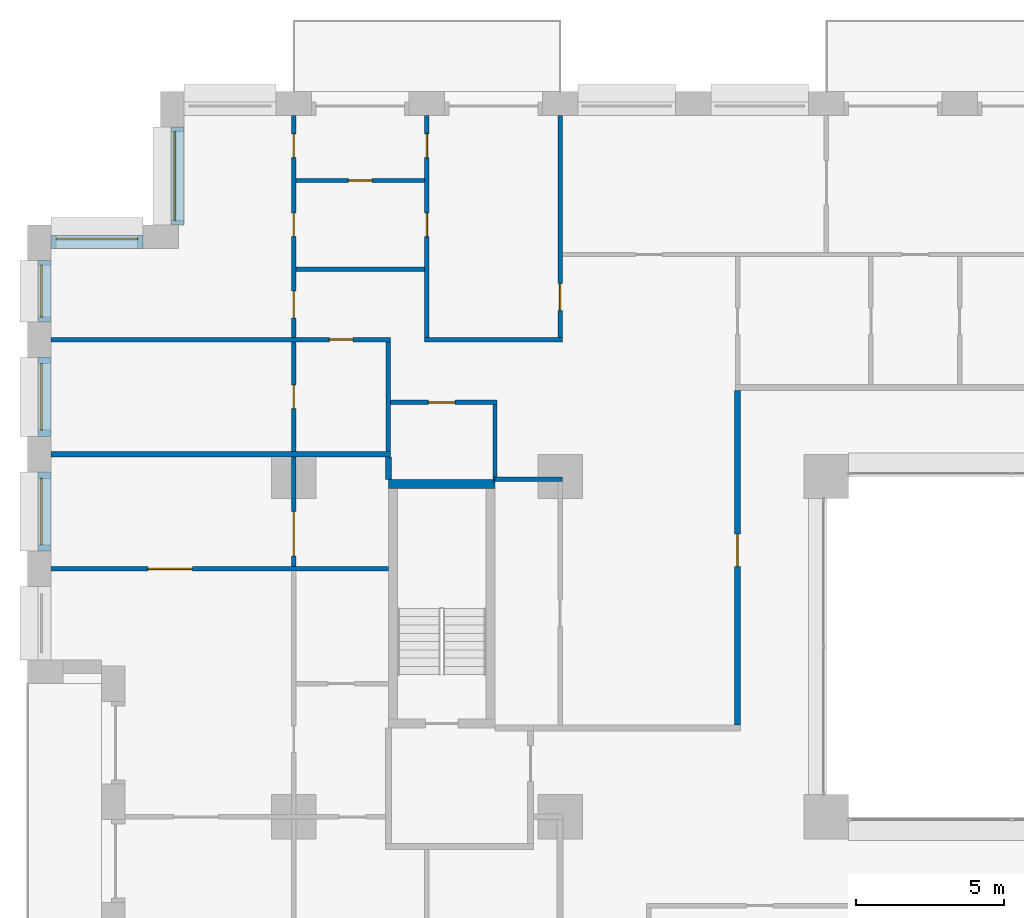
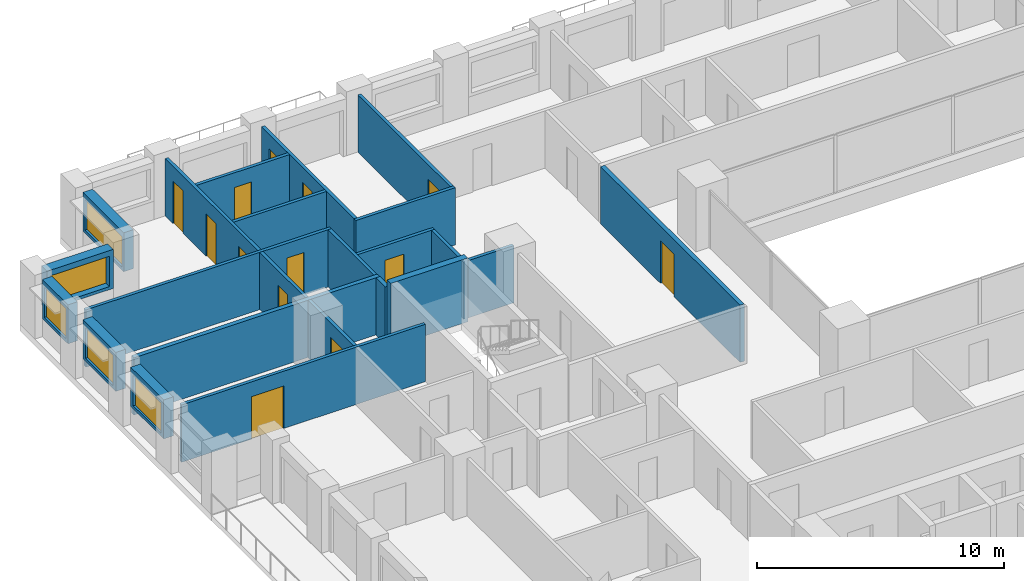
# One storey, part 13 of 19: 24 walls, 13 doors, 5 windows, 18 openings.
"""IFC4 building model written with IfcOpenShell, lengths in metres."""

from ifc_helpers import new_model, si_unit, direction, frame, frame_2d, origin, place, context, subcontext, project, spatial, rectangle, extrude, material, layer, layer_set, type_object, element, fill, save


model = new_model("IFC4")

# Units and contexts
model_context = context("Model", 3, precision=1e-05, world=origin(), true_north=direction((0.0, 1.0)))
body_context = subcontext(model_context, "Body", "Model", "MODEL_VIEW")
ifc_project = project(units=[si_unit("LENGTHUNIT", "METRE"), si_unit("AREAUNIT", "SQUARE_METRE"), si_unit("VOLUMEUNIT", "CUBIC_METRE"), si_unit("PLANEANGLEUNIT", "RADIAN"), si_unit("MASSUNIT", "GRAM", prefix="KILO")], contexts=[model_context])

# Site, building, storey
site_placement = place(None, origin())
site = spatial("IfcSite", under=ifc_project, at=site_placement, CompositionType="ELEMENT")
building_placement = place(site_placement, origin())
building = spatial("IfcBuilding", under=site, at=building_placement, Name="Brigalow Station Residences", CompositionType="ELEMENT")
storey_placement = place(building_placement, frame((0.0, 0.0, 28.949951171875)))
storey = spatial("IfcBuildingStorey", under=building, at=storey_placement, Name="L07", CompositionType="ELEMENT", Elevation=28.949951171875)

# Wall, opening, window
ifc_material_1 = material(Name="Clay brick masonry", Category="masonry")
ifc_layer_1 = layer(ifc_material_1, 0.449951171875)
ifc_layer_set_1 = layer_set([ifc_layer_1], Name="BRICK INFILL WALL 450")
wall_type_1 = type_object("IfcWallType", Name="BRICK INFILL WALL 450", PredefinedType="SOLIDWALL", material=ifc_layer_set_1)
wall_1_placement = place(storey_placement, frame((5.074951171875, 47.300048828125, 0.900146484375), z_axis=(0.0, 0.0, 1.0), x_axis=(0.0, -1.0, 0.0)))
wall_1 = element("IfcWall", 1, at=wall_1_placement, inside=storey, type_object=wall_type_1, Name="L07/ewall/W-L07-40", PredefinedType="SOLIDWALL", context=body_context, shape_type="SweptSolid", body=[
    extrude(rectangle(XDim=3.300048828125, YDim=0.449951171875, at=frame_2d((1.64990234375, 0.0))), origin(), (0.0, 0.0, 1.0), 1.929931640625),
])
opening_1_placement = place(wall_1_placement, frame((0.14990234375, 0.0, 0.14990234375)))
opening_1 = element("IfcOpeningElement", 2, at=opening_1_placement, cuts=wall_1, Name="Opening WT-2", PredefinedType="OPENING", context=body_context, shape_type="SweptSolid", body=[
    extrude(rectangle(XDim=3.0, YDim=1.5, at=frame_2d((1.5, 0.75))), frame((0.0, 0.23486328125, 0.0), z_axis=(0.0, -1.0, 0.0), x_axis=(1.0, 0.0, 0.0)), (0.0, 0.0, 1.0), 0.469970703125),
])
ifc_material_2 = material(Name="Anodised aluminium frame with double glazing", Category="aluminium")
window_type_1 = type_object("IfcWindowType", Name="WINDOW 3000x1500", PartitioningType="SINGLE_PANEL", PredefinedType="WINDOW", material=ifc_material_2)
window_1_placement = place(opening_1_placement, origin())
window_1 = element("IfcWindow", 3, at=window_1_placement, inside=storey, type_object=window_type_1, Name="L07/window/W-L07-40", OverallHeight=1.5, OverallWidth=3.0, PartitioningType="SINGLE_PANEL", PredefinedType="WINDOW", context=body_context, shape_type="SweptSolid", body=[
    extrude(rectangle(XDim=3.0, YDim=1.5, at=frame_2d((1.5, 0.75))), frame((0.0, -0.06494140625, 0.0), z_axis=(0.0, -1.0, 0.0), x_axis=(1.0, 0.0, 0.0)), (0.0, 0.0, 1.0), 0.06005859375),
])
fill(opening_1, window_1)

wall_2_placement = place(storey_placement, frame((3.89990234375, 43.425048828125, 0.900146484375), z_axis=(0.0, 0.0, 1.0), x_axis=(-1.0, 0.0, 0.0)))
wall_2 = element("IfcWall", 4, at=wall_2_placement, inside=storey, type_object=wall_type_1, Name="L07/ewall/W-L07-41", PredefinedType="SOLIDWALL", context=body_context, shape_type="SweptSolid", body=[
    extrude(rectangle(XDim=3.099853515625, YDim=0.449951171875, at=frame_2d((1.5498046875, 0.0))), origin(), (0.0, 0.0, 1.0), 1.929931640625),
])
opening_2_placement = place(wall_2_placement, frame((0.175048828125, 0.0, 0.14990234375)))
opening_2 = element("IfcOpeningElement", 5, at=opening_2_placement, cuts=wall_2, Name="Opening WT-3", PredefinedType="OPENING", context=body_context, shape_type="SweptSolid", body=[
    extrude(rectangle(XDim=2.75, YDim=1.5, at=frame_2d((1.375, 0.75))), frame((0.0, 0.23486328125, 0.0), z_axis=(0.0, -1.0, 0.0), x_axis=(1.0, 0.0, 0.0)), (0.0, 0.0, 1.0), 0.469970703125),
])
ifc_material_3 = material(Name="Anodised aluminium frame with double glazing", Category="aluminium")
window_type_2 = type_object("IfcWindowType", Name="WINDOW 2750x1500", PartitioningType="SINGLE_PANEL", PredefinedType="WINDOW", material=ifc_material_3)
window_2_placement = place(opening_2_placement, origin())
window_2 = element("IfcWindow", 6, at=window_2_placement, inside=storey, type_object=window_type_2, Name="L07/window/W-L07-41", OverallHeight=1.5, OverallWidth=2.75, PartitioningType="SINGLE_PANEL", PredefinedType="WINDOW", context=body_context, shape_type="SweptSolid", body=[
    extrude(rectangle(XDim=2.75, YDim=1.5, at=frame_2d((1.375, 0.75))), frame((0.0, -0.06494140625, 0.0), z_axis=(0.0, -1.0, 0.0), x_axis=(1.0, 0.0, 0.0)), (0.0, 0.0, 1.0), 0.06005859375),
])
fill(opening_2, window_2)

wall_3_placement = place(storey_placement, frame((0.574951171875, 42.800048828125, 0.900146484375), z_axis=(0.0, 0.0, 1.0), x_axis=(0.0, -1.0, 0.0)))
wall_3 = element("IfcWall", 7, at=wall_3_placement, inside=storey, type_object=wall_type_1, Name="L07/ewall/W-L07-42", PredefinedType="SOLIDWALL", context=body_context, shape_type="SweptSolid", body=[
    extrude(rectangle(XDim=2.074951171875, YDim=0.449951171875, at=frame_2d((1.03759765625, 0.0))), origin(), (0.0, 0.0, 1.0), 1.929931640625),
])
opening_3_placement = place(wall_3_placement, frame((0.16259765625, 0.0, 0.14990234375)))
opening_3 = element("IfcOpeningElement", 8, at=opening_3_placement, cuts=wall_3, Name="Opening WT-4", PredefinedType="OPENING", context=body_context, shape_type="SweptSolid", body=[
    extrude(rectangle(XDim=1.75, YDim=1.5, at=frame_2d((0.875, 0.75))), frame((0.0, 0.23486328125, 0.0), z_axis=(0.0, -1.0, 0.0), x_axis=(1.0, 0.0, 0.0)), (0.0, 0.0, 1.0), 0.469970703125),
])
ifc_material_4 = material(Name="Anodised aluminium frame with double glazing", Category="aluminium")
window_type_3 = type_object("IfcWindowType", Name="WINDOW 1750x1500", PartitioningType="SINGLE_PANEL", PredefinedType="WINDOW", material=ifc_material_4)
window_3_placement = place(opening_3_placement, origin())
window_3 = element("IfcWindow", 9, at=window_3_placement, inside=storey, type_object=window_type_3, Name="L07/window/W-L07-42", OverallHeight=1.5, OverallWidth=1.75, PartitioningType="SINGLE_PANEL", PredefinedType="WINDOW", context=body_context, shape_type="SweptSolid", body=[
    extrude(rectangle(XDim=1.75, YDim=1.5, at=frame_2d((0.875, 0.75))), frame((0.0, -0.06494140625, 0.0), z_axis=(0.0, -1.0, 0.0), x_axis=(1.0, 0.0, 0.0)), (0.0, 0.0, 1.0), 0.06005859375),
])
fill(opening_3, window_3)

wall_4_placement = place(storey_placement, frame((0.574951171875, 39.52490234375, 0.900146484375), z_axis=(0.0, 0.0, 1.0), x_axis=(0.0, -1.0, 0.0)))
wall_4 = element("IfcWall", 10, at=wall_4_placement, inside=storey, type_object=wall_type_1, Name="L07/ewall/W-L07-43", PredefinedType="SOLIDWALL", context=body_context, shape_type="SweptSolid", body=[
    extrude(rectangle(XDim=2.6748046875, YDim=0.449951171875, at=frame_2d((1.33740234375, 0.0))), origin(), (0.0, 0.0, 1.0), 1.929931640625),
])
opening_4_placement = place(wall_4_placement, frame((0.21240234375, 0.0, 0.14990234375)))
opening_4 = element("IfcOpeningElement", 11, at=opening_4_placement, cuts=wall_4, Name="Opening WT-6", PredefinedType="OPENING", context=body_context, shape_type="SweptSolid", body=[
    extrude(rectangle(XDim=2.25, YDim=1.5, at=frame_2d((1.125, 0.75))), frame((0.0, 0.23486328125, 0.0), z_axis=(0.0, -1.0, 0.0), x_axis=(1.0, 0.0, 0.0)), (0.0, 0.0, 1.0), 0.469970703125),
])
ifc_material_5 = material(Name="Anodised aluminium frame with double glazing", Category="aluminium")
window_type_4 = type_object("IfcWindowType", Name="WINDOW 2250x1500", PartitioningType="SINGLE_PANEL", PredefinedType="WINDOW", material=ifc_material_5)
window_4_placement = place(opening_4_placement, origin())
window_4 = element("IfcWindow", 12, at=window_4_placement, inside=storey, type_object=window_type_4, Name="L07/window/W-L07-43", OverallHeight=1.5, OverallWidth=2.25, PartitioningType="SINGLE_PANEL", PredefinedType="WINDOW", context=body_context, shape_type="SweptSolid", body=[
    extrude(rectangle(XDim=2.25, YDim=1.5, at=frame_2d((1.125, 0.75))), frame((0.0, -0.06494140625, 0.0), z_axis=(0.0, -1.0, 0.0), x_axis=(1.0, 0.0, 0.0)), (0.0, 0.0, 1.0), 0.06005859375),
])
fill(opening_4, window_4)

wall_5_placement = place(storey_placement, frame((0.574951171875, 35.64990234375, 0.900146484375), z_axis=(0.0, 0.0, 1.0), x_axis=(0.0, -1.0, 0.0)))
wall_5 = element("IfcWall", 13, at=wall_5_placement, inside=storey, type_object=wall_type_1, Name="L07/ewall/W-L07-44", PredefinedType="SOLIDWALL", context=body_context, shape_type="SweptSolid", body=[
    extrude(rectangle(XDim=2.6748046875, YDim=0.449951171875, at=frame_2d((1.33740234375, 0.0))), origin(), (0.0, 0.0, 1.0), 1.929931640625),
])
opening_5_placement = place(wall_5_placement, frame((0.21240234375, 0.0, 0.14990234375)))
opening_5 = element("IfcOpeningElement", 14, at=opening_5_placement, cuts=wall_5, Name="Opening WT-6", PredefinedType="OPENING", context=body_context, shape_type="SweptSolid", body=[
    extrude(rectangle(XDim=2.25, YDim=1.5, at=frame_2d((1.125, 0.75))), frame((0.0, 0.23486328125, 0.0), z_axis=(0.0, -1.0, 0.0), x_axis=(1.0, 0.0, 0.0)), (0.0, 0.0, 1.0), 0.469970703125),
])
window_5_placement = place(opening_5_placement, origin())
window_5 = element("IfcWindow", 15, at=window_5_placement, inside=storey, type_object=window_type_4, Name="L07/window/W-L07-44", OverallHeight=1.5, OverallWidth=2.25, PartitioningType="SINGLE_PANEL", PredefinedType="WINDOW", context=body_context, shape_type="SweptSolid", body=[
    extrude(rectangle(XDim=2.25, YDim=1.5, at=frame_2d((1.125, 0.75))), frame((0.0, -0.06494140625, 0.0), z_axis=(0.0, -1.0, 0.0), x_axis=(1.0, 0.0, 0.0)), (0.0, 0.0, 1.0), 0.06005859375),
])
fill(opening_5, window_5)

# Wall
ifc_material_6 = material(Name="Concrete C80", Category="concrete")
ifc_layer_2 = layer(ifc_material_6, 0.300048828125)
ifc_layer_set_2 = layer_set([ifc_layer_2], Name="CORE SHEAR WALL 300 C80")
wall_type_2 = type_object("IfcWallType", Name="CORE SHEAR WALL 300 C80", PredefinedType="SHEAR", material=ifc_layer_set_2)
wall_6_placement = place(storey_placement, frame((12.199951171875, 35.25, 0.0), z_axis=(0.0, 0.0, 1.0), x_axis=(1.0, 0.0, 0.0)))
element("IfcWall", 16, at=wall_6_placement, inside=storey, type_object=wall_type_2, Name="CORE WALL ST-S1-N L07", PredefinedType="SHEAR", context=body_context, shape_type="SweptSolid", body=[
    extrude(rectangle(XDim=3.60009765625, YDim=0.300048828125, at=frame_2d((1.800048828125, 0.0))), origin(), (0.0, 0.0, 1.0), 3.150146484375),
])

# Wall, opening, door
ifc_material_7 = material(Name="Plasterboard on steel stud partition", Category="steel")
ifc_layer_3 = layer(ifc_material_7, 0.14990234375)
ifc_layer_set_3 = layer_set([ifc_layer_3], Name="FLAT PARTITION 150")
wall_type_3 = type_object("IfcWallType", Name="FLAT PARTITION 150", PredefinedType="PARTITIONING", material=ifc_layer_set_3)
wall_7_placement = place(storey_placement, frame((0.800048828125, 32.375, 0.0), z_axis=(0.0, 0.0, 1.0), x_axis=(1.0, 0.0, 0.0)))
wall_7 = element("IfcWall", 17, at=wall_7_placement, inside=storey, type_object=wall_type_3, Name="PW-1B17", PredefinedType="PARTITIONING", context=body_context, shape_type="SweptSolid", body=[
    extrude(rectangle(XDim=11.39990234375, YDim=0.14990234375, at=frame_2d((5.699951171875, 0.0))), origin(), (0.0, 0.0, 1.0), 2.830078125),
])
opening_6_placement = place(wall_7_placement, frame((3.27490234375, 0.0, 0.0)))
opening_6 = element("IfcOpeningElement", 18, at=opening_6_placement, cuts=wall_7, Name="Opening D-1B09", PredefinedType="OPENING", context=body_context, shape_type="SweptSolid", body=[
    extrude(rectangle(XDim=1.5, YDim=2.10009765625, at=frame_2d((0.75, 1.050048828125))), frame((0.0, 0.0849609375, 0.0), z_axis=(0.0, -1.0, 0.0), x_axis=(1.0, 0.0, 0.0)), (0.0, 0.0, 1.0), 0.169921875),
])
ifc_material_8 = material(Name="Solid-core timber door leaf", Category="wood")
door_type_1 = type_object("IfcDoorType", Name="INTERNAL DOUBLE DOOR 1500 x 2100", OperationType="DOUBLE_DOOR_SINGLE_SWING", PredefinedType="DOOR", material=ifc_material_8)
door_1_placement = place(opening_6_placement, origin())
door_1 = element("IfcDoor", 19, at=door_1_placement, inside=storey, type_object=door_type_1, Name="D-1B09", OperationType="DOUBLE_DOOR_SINGLE_SWING", OverallHeight=2.10009765625, OverallWidth=1.5, PredefinedType="DOOR", context=body_context, shape_type="SweptSolid", body=[
    extrude(rectangle(XDim=1.5, YDim=2.10009765625, at=frame_2d((0.75, 1.050048828125))), frame((0.0, 0.02490234375, 0.0), z_axis=(0.0, -1.0, 0.0), x_axis=(1.0, 0.0, 0.0)), (0.0, 0.0, 1.0), 0.050048828125),
])
fill(opening_6, door_1)

# Walls
wall_8_placement = place(storey_placement, frame((15.72509765625, 35.39990234375, 0.0), z_axis=(0.0, 0.0, 1.0), x_axis=(1.0, 0.0, 0.0)))
element("IfcWall", 20, at=wall_8_placement, inside=storey, type_object=wall_type_3, Name="PW-1B25", PredefinedType="PARTITIONING", context=body_context, shape_type="SweptSolid", body=[
    extrude(rectangle(XDim=0.074951171875, YDim=0.14990234375, at=frame_2d((0.03759765625, 0.0))), origin(), (0.0, 0.0, 1.0), 2.830078125),
])
wall_9_placement = place(storey_placement, frame((15.800048828125, 35.39990234375, 0.0), z_axis=(0.0, 0.0, 1.0), x_axis=(1.0, 0.0, 0.0)))
element("IfcWall", 21, at=wall_9_placement, inside=storey, type_object=wall_type_3, Name="PW-1B26", PredefinedType="PARTITIONING", context=body_context, shape_type="SweptSolid", body=[
    extrude(rectangle(XDim=2.27490234375, YDim=0.14990234375, at=frame_2d((1.137451171875, 0.0))), origin(), (0.0, 0.0, 1.0), 2.830078125),
])

# Wall, opening, door
wall_10_placement = place(storey_placement, frame((0.800048828125, 40.125, 0.0), z_axis=(0.0, 0.0, 1.0), x_axis=(1.0, 0.0, 0.0)))
wall_10 = element("IfcWall", 22, at=wall_10_placement, inside=storey, type_object=wall_type_3, Name="PW-1B29", PredefinedType="PARTITIONING", context=body_context, shape_type="SweptSolid", body=[
    extrude(rectangle(XDim=11.474853515625, YDim=0.14990234375, at=frame_2d((5.7373046875, 0.0))), origin(), (0.0, 0.0, 1.0), 2.830078125),
])
opening_7_placement = place(wall_10_placement, frame((9.39990234375, 0.0, 0.0)))
opening_7 = element("IfcOpeningElement", 23, at=opening_7_placement, cuts=wall_10, Name="Opening D-1B33", PredefinedType="OPENING", context=body_context, shape_type="SweptSolid", body=[
    extrude(rectangle(XDim=0.800048828125, YDim=2.10009765625, at=frame_2d((0.39990234375, 1.050048828125))), frame((0.0, 0.0849609375, 0.0), z_axis=(0.0, -1.0, 0.0), x_axis=(1.0, 0.0, 0.0)), (0.0, 0.0, 1.0), 0.169921875),
])
ifc_material_9 = material(Name="Solid-core timber door leaf", Category="wood")
door_type_2 = type_object("IfcDoorType", Name="INTERNAL DOOR 800 x 2100", OperationType="SINGLE_SWING_LEFT", PredefinedType="DOOR", material=ifc_material_9)
door_2_placement = place(opening_7_placement, frame((0.800048828125, 0.0, 0.0), z_axis=(0.0, 0.0, 1.0), x_axis=(-1.0, 0.0, 0.0)))
door_2 = element("IfcDoor", 24, at=door_2_placement, inside=storey, type_object=door_type_2, Name="D-1B33", OperationType="SINGLE_SWING_RIGHT", OverallHeight=2.10009765625, OverallWidth=0.800048828125, PredefinedType="DOOR", context=body_context, shape_type="SweptSolid", body=[
    extrude(rectangle(XDim=0.800048828125, YDim=2.10009765625, at=frame_2d((0.39990234375, 1.050048828125))), frame((0.0, 0.02490234375, 0.0), z_axis=(0.0, -1.0, 0.0), x_axis=(1.0, 0.0, 0.0)), (0.0, 0.0, 1.0), 0.050048828125),
])
fill(opening_7, door_2)

# Wall
wall_11_placement = place(storey_placement, frame((13.425048828125, 40.125, 0.0), z_axis=(0.0, 0.0, 1.0), x_axis=(1.0, 0.0, 0.0)))
element("IfcWall", 25, at=wall_11_placement, inside=storey, type_object=wall_type_3, Name="PW-1B30", PredefinedType="PARTITIONING", context=body_context, shape_type="SweptSolid", body=[
    extrude(rectangle(XDim=4.64990234375, YDim=0.14990234375, at=frame_2d((2.324951171875, 0.0))), origin(), (0.0, 0.0, 1.0), 2.830078125),
])

# Wall, opening, door
wall_12_placement = place(storey_placement, frame((12.27490234375, 38.0, 0.0), z_axis=(0.0, 0.0, 1.0), x_axis=(1.0, 0.0, 0.0)))
wall_12 = element("IfcWall", 26, at=wall_12_placement, inside=storey, type_object=wall_type_3, Name="PW-1B32", PredefinedType="PARTITIONING", context=body_context, shape_type="SweptSolid", body=[
    extrude(rectangle(XDim=3.60009765625, YDim=0.14990234375, at=frame_2d((1.800048828125, 0.0))), origin(), (0.0, 0.0, 1.0), 2.830078125),
])
opening_8_placement = place(wall_12_placement, frame((1.27490234375, 0.0, 0.0)))
opening_8 = element("IfcOpeningElement", 27, at=opening_8_placement, cuts=wall_12, Name="Opening D-1B32", PredefinedType="OPENING", context=body_context, shape_type="SweptSolid", body=[
    extrude(rectangle(XDim=0.89990234375, YDim=2.10009765625, at=frame_2d((0.449951171875, 1.050048828125))), frame((0.0, 0.0849609375, 0.0), z_axis=(0.0, -1.0, 0.0), x_axis=(1.0, 0.0, 0.0)), (0.0, 0.0, 1.0), 0.169921875),
])
ifc_material_10 = material(Name="Solid-core timber door leaf", Category="wood")
door_type_3 = type_object("IfcDoorType", Name="INTERNAL DOOR 900 x 2100", OperationType="SINGLE_SWING_LEFT", PredefinedType="DOOR", material=ifc_material_10)
door_3_placement = place(opening_8_placement, frame((0.89990234375, 0.0, 0.0), z_axis=(0.0, 0.0, 1.0), x_axis=(-1.0, 0.0, 0.0)))
door_3 = element("IfcDoor", 28, at=door_3_placement, inside=storey, type_object=door_type_3, Name="D-1B32", OperationType="SINGLE_SWING_LEFT", OverallHeight=2.10009765625, OverallWidth=0.89990234375, PredefinedType="DOOR", context=body_context, shape_type="SweptSolid", body=[
    extrude(rectangle(XDim=0.89990234375, YDim=2.10009765625, at=frame_2d((0.449951171875, 1.050048828125))), frame((0.0, 0.02490234375, 0.0), z_axis=(0.0, -1.0, 0.0), x_axis=(1.0, 0.0, 0.0)), (0.0, 0.0, 1.0), 0.050048828125),
])
fill(opening_8, door_3)

# Wall
wall_13_placement = place(storey_placement, frame((9.074951171875, 42.5, 0.0), z_axis=(0.0, 0.0, 1.0), x_axis=(1.0, 0.0, 0.0)))
element("IfcWall", 29, at=wall_13_placement, inside=storey, type_object=wall_type_3, Name="PW-1B33", PredefinedType="PARTITIONING", context=body_context, shape_type="SweptSolid", body=[
    extrude(rectangle(XDim=4.35009765625, YDim=0.14990234375, at=frame_2d((2.175048828125, 0.0))), origin(), (0.0, 0.0, 1.0), 2.830078125),
])

# Wall, opening, door
wall_14_placement = place(storey_placement, frame((9.074951171875, 45.5, 0.0), z_axis=(0.0, 0.0, 1.0), x_axis=(1.0, 0.0, 0.0)))
wall_14 = element("IfcWall", 30, at=wall_14_placement, inside=storey, type_object=wall_type_3, Name="PW-1B34", PredefinedType="PARTITIONING", context=body_context, shape_type="SweptSolid", body=[
    extrude(rectangle(XDim=4.35009765625, YDim=0.14990234375, at=frame_2d((2.175048828125, 0.0))), origin(), (0.0, 0.0, 1.0), 2.830078125),
])
opening_9_placement = place(wall_14_placement, frame((1.77490234375, 0.0, 0.0)))
opening_9 = element("IfcOpeningElement", 31, at=opening_9_placement, cuts=wall_14, Name="Opening D-1B25", PredefinedType="OPENING", context=body_context, shape_type="SweptSolid", body=[
    extrude(rectangle(XDim=0.800048828125, YDim=2.10009765625, at=frame_2d((0.39990234375, 1.050048828125))), frame((0.0, 0.0849609375, 0.0), z_axis=(0.0, -1.0, 0.0), x_axis=(1.0, 0.0, 0.0)), (0.0, 0.0, 1.0), 0.169921875),
])
door_4_placement = place(opening_9_placement, origin())
door_4 = element("IfcDoor", 32, at=door_4_placement, inside=storey, type_object=door_type_2, Name="D-1B25", OperationType="SINGLE_SWING_RIGHT", OverallHeight=2.10009765625, OverallWidth=0.800048828125, PredefinedType="DOOR", context=body_context, shape_type="SweptSolid", body=[
    extrude(rectangle(XDim=0.800048828125, YDim=2.10009765625, at=frame_2d((0.39990234375, 1.050048828125))), frame((0.0, 0.02490234375, 0.0), z_axis=(0.0, -1.0, 0.0), x_axis=(1.0, 0.0, 0.0)), (0.0, 0.0, 1.0), 0.050048828125),
])
fill(opening_9, door_4)

wall_15_placement = place(storey_placement, frame((18.0, 40.199951171875, 0.0), z_axis=(0.0, 0.0, 1.0), x_axis=(0.0, 1.0, 0.0)))
wall_15 = element("IfcWall", 33, at=wall_15_placement, inside=storey, type_object=wall_type_3, Name="PW-1B38", PredefinedType="PARTITIONING", context=body_context, shape_type="SweptSolid", body=[
    extrude(rectangle(XDim=7.5, YDim=0.14990234375, at=frame_2d((3.75, 0.0))), origin(), (0.0, 0.0, 1.0), 2.830078125),
])
opening_10_placement = place(wall_15_placement, frame((0.912109375, 0.0, 0.0)))
opening_10 = element("IfcOpeningElement", 34, at=opening_10_placement, cuts=wall_15, Name="Opening D-1B20", PredefinedType="OPENING", context=body_context, shape_type="SweptSolid", body=[
    extrude(rectangle(XDim=0.89990234375, YDim=2.10009765625, at=frame_2d((0.449951171875, 1.050048828125))), frame((0.0, 0.0849609375, 0.0), z_axis=(0.0, -1.0, 0.0), x_axis=(1.0, 0.0, 0.0)), (0.0, 0.0, 1.0), 0.169921875),
])
door_5_placement = place(opening_10_placement, origin())
door_5 = element("IfcDoor", 35, at=door_5_placement, inside=storey, type_object=door_type_3, Name="D-1B20", OperationType="SINGLE_SWING_LEFT", OverallHeight=2.10009765625, OverallWidth=0.89990234375, PredefinedType="DOOR", context=body_context, shape_type="SweptSolid", body=[
    extrude(rectangle(XDim=0.89990234375, YDim=2.10009765625, at=frame_2d((0.449951171875, 1.050048828125))), frame((0.0, 0.02490234375, 0.0), z_axis=(0.0, -1.0, 0.0), x_axis=(1.0, 0.0, 0.0)), (0.0, 0.0, 1.0), 0.050048828125),
])
fill(opening_10, door_5)

wall_16_placement = place(storey_placement, frame((9.0, 32.449951171875, 0.0), z_axis=(0.0, 0.0, 1.0), x_axis=(0.0, 1.0, 0.0)))
wall_16 = element("IfcWall", 36, at=wall_16_placement, inside=storey, type_object=wall_type_3, Name="PW-1B53", PredefinedType="PARTITIONING", context=body_context, shape_type="SweptSolid", body=[
    extrude(rectangle(XDim=3.699951171875, YDim=0.14990234375, at=frame_2d((1.85009765625, 0.0))), origin(), (0.0, 0.0, 1.0), 2.830078125),
])
opening_11_placement = place(wall_16_placement, frame((0.362060546875, 0.0, 0.0)))
opening_11 = element("IfcOpeningElement", 37, at=opening_11_placement, cuts=wall_16, Name="Opening D-1B16", PredefinedType="OPENING", context=body_context, shape_type="SweptSolid", body=[
    extrude(rectangle(XDim=1.5, YDim=2.10009765625, at=frame_2d((0.75, 1.050048828125))), frame((0.0, 0.0849609375, 0.0), z_axis=(0.0, -1.0, 0.0), x_axis=(1.0, 0.0, 0.0)), (0.0, 0.0, 1.0), 0.169921875),
])
door_6_placement = place(opening_11_placement, frame((1.5, 0.0, 0.0), z_axis=(0.0, 0.0, 1.0), x_axis=(-1.0, 0.0, 0.0)))
door_6 = element("IfcDoor", 38, at=door_6_placement, inside=storey, type_object=door_type_1, Name="D-1B16", OperationType="DOUBLE_DOOR_SINGLE_SWING", OverallHeight=2.10009765625, OverallWidth=1.5, PredefinedType="DOOR", context=body_context, shape_type="SweptSolid", body=[
    extrude(rectangle(XDim=1.5, YDim=2.10009765625, at=frame_2d((0.75, 1.050048828125))), frame((0.0, 0.02490234375, 0.0), z_axis=(0.0, -1.0, 0.0), x_axis=(1.0, 0.0, 0.0)), (0.0, 0.0, 1.0), 0.050048828125),
])
fill(opening_11, door_6)

wall_17_placement = place(storey_placement, frame((9.0, 36.35009765625, 0.0), z_axis=(0.0, 0.0, 1.0), x_axis=(0.0, 1.0, 0.0)))
wall_17 = element("IfcWall", 39, at=wall_17_placement, inside=storey, type_object=wall_type_3, Name="PW-1B54", PredefinedType="PARTITIONING", context=body_context, shape_type="SweptSolid", body=[
    extrude(rectangle(XDim=3.699951171875, YDim=0.14990234375, at=frame_2d((1.85009765625, 0.0))), origin(), (0.0, 0.0, 1.0), 2.830078125),
])
opening_12_placement = place(wall_17_placement, frame((1.43798828125, 0.0, 0.0)))
opening_12 = element("IfcOpeningElement", 40, at=opening_12_placement, cuts=wall_17, Name="Opening D-1B21", PredefinedType="OPENING", context=body_context, shape_type="SweptSolid", body=[
    extrude(rectangle(XDim=0.800048828125, YDim=2.10009765625, at=frame_2d((0.39990234375, 1.050048828125))), frame((0.0, 0.0849609375, 0.0), z_axis=(0.0, -1.0, 0.0), x_axis=(1.0, 0.0, 0.0)), (0.0, 0.0, 1.0), 0.169921875),
])
door_7_placement = place(opening_12_placement, frame((0.800048828125, 0.0, 0.0), z_axis=(0.0, 0.0, 1.0), x_axis=(-1.0, 0.0, 0.0)))
door_7 = element("IfcDoor", 41, at=door_7_placement, inside=storey, type_object=door_type_2, Name="D-1B21", OperationType="SINGLE_SWING_RIGHT", OverallHeight=2.10009765625, OverallWidth=0.800048828125, PredefinedType="DOOR", context=body_context, shape_type="SweptSolid", body=[
    extrude(rectangle(XDim=0.800048828125, YDim=2.10009765625, at=frame_2d((0.39990234375, 1.050048828125))), frame((0.0, 0.02490234375, 0.0), z_axis=(0.0, -1.0, 0.0), x_axis=(1.0, 0.0, 0.0)), (0.0, 0.0, 1.0), 0.050048828125),
])
fill(opening_12, door_7)

# Wall, openings, doors
wall_18_placement = place(storey_placement, frame((9.0, 40.199951171875, 0.0), z_axis=(0.0, 0.0, 1.0), x_axis=(0.0, 1.0, 0.0)))
wall_18 = element("IfcWall", 42, at=wall_18_placement, inside=storey, type_object=wall_type_3, Name="PW-1B55", PredefinedType="PARTITIONING", context=body_context, shape_type="SweptSolid", body=[
    extrude(rectangle(XDim=7.5, YDim=0.14990234375, at=frame_2d((3.75, 0.0))), origin(), (0.0, 0.0, 1.0), 2.830078125),
])
opening_13_placement = place(wall_18_placement, frame((6.074951171875, 0.0, 0.0)))
opening_13 = element("IfcOpeningElement", 43, at=opening_13_placement, cuts=wall_18, Name="Opening D-1B26", PredefinedType="OPENING", context=body_context, shape_type="SweptSolid", body=[
    extrude(rectangle(XDim=0.800048828125, YDim=2.10009765625, at=frame_2d((0.39990234375, 1.050048828125))), frame((0.0, 0.0849609375, 0.0), z_axis=(0.0, -1.0, 0.0), x_axis=(1.0, 0.0, 0.0)), (0.0, 0.0, 1.0), 0.169921875),
])
opening_14_placement = place(wall_18_placement, frame((3.39990234375, 0.0, 0.0)))
opening_14 = element("IfcOpeningElement", 44, at=opening_14_placement, cuts=wall_18, Name="Opening D-1B27", PredefinedType="OPENING", context=body_context, shape_type="SweptSolid", body=[
    extrude(rectangle(XDim=0.800048828125, YDim=2.10009765625, at=frame_2d((0.39990234375, 1.050048828125))), frame((0.0, 0.0849609375, 0.0), z_axis=(0.0, -1.0, 0.0), x_axis=(1.0, 0.0, 0.0)), (0.0, 0.0, 1.0), 0.169921875),
])
opening_15_placement = place(wall_18_placement, frame((0.662109375, 0.0, 0.0)))
opening_15 = element("IfcOpeningElement", 45, at=opening_15_placement, cuts=wall_18, Name="Opening D-1B31", PredefinedType="OPENING", context=body_context, shape_type="SweptSolid", body=[
    extrude(rectangle(XDim=0.89990234375, YDim=2.10009765625, at=frame_2d((0.449951171875, 1.050048828125))), frame((0.0, 0.0849609375, 0.0), z_axis=(0.0, -1.0, 0.0), x_axis=(1.0, 0.0, 0.0)), (0.0, 0.0, 1.0), 0.169921875),
])
door_8_placement = place(opening_13_placement, frame((0.800048828125, 0.0, 0.0), z_axis=(0.0, 0.0, 1.0), x_axis=(-1.0, 0.0, 0.0)))
door_8 = element("IfcDoor", 46, at=door_8_placement, inside=storey, type_object=door_type_2, Name="D-1B26", OperationType="SINGLE_SWING_LEFT", OverallHeight=2.10009765625, OverallWidth=0.800048828125, PredefinedType="DOOR", context=body_context, shape_type="SweptSolid", body=[
    extrude(rectangle(XDim=0.800048828125, YDim=2.10009765625, at=frame_2d((0.39990234375, 1.050048828125))), frame((0.0, 0.02490234375, 0.0), z_axis=(0.0, -1.0, 0.0), x_axis=(1.0, 0.0, 0.0)), (0.0, 0.0, 1.0), 0.050048828125),
])
fill(opening_13, door_8)
door_9_placement = place(opening_14_placement, frame((0.800048828125, 0.0, 0.0), z_axis=(0.0, 0.0, 1.0), x_axis=(-1.0, 0.0, 0.0)))
door_9 = element("IfcDoor", 47, at=door_9_placement, inside=storey, type_object=door_type_2, Name="D-1B27", OperationType="SINGLE_SWING_LEFT", OverallHeight=2.10009765625, OverallWidth=0.800048828125, PredefinedType="DOOR", context=body_context, shape_type="SweptSolid", body=[
    extrude(rectangle(XDim=0.800048828125, YDim=2.10009765625, at=frame_2d((0.39990234375, 1.050048828125))), frame((0.0, 0.02490234375, 0.0), z_axis=(0.0, -1.0, 0.0), x_axis=(1.0, 0.0, 0.0)), (0.0, 0.0, 1.0), 0.050048828125),
])
fill(opening_14, door_9)
door_10_placement = place(opening_15_placement, origin())
door_10 = element("IfcDoor", 48, at=door_10_placement, inside=storey, type_object=door_type_3, Name="D-1B31", OperationType="SINGLE_SWING_LEFT", OverallHeight=2.10009765625, OverallWidth=0.89990234375, PredefinedType="DOOR", context=body_context, shape_type="SweptSolid", body=[
    extrude(rectangle(XDim=0.89990234375, YDim=2.10009765625, at=frame_2d((0.449951171875, 1.050048828125))), frame((0.0, 0.02490234375, 0.0), z_axis=(0.0, -1.0, 0.0), x_axis=(1.0, 0.0, 0.0)), (0.0, 0.0, 1.0), 0.050048828125),
])
fill(opening_15, door_10)

wall_19_placement = place(storey_placement, frame((13.5, 40.199951171875, 0.0), z_axis=(0.0, 0.0, 1.0), x_axis=(0.0, 1.0, 0.0)))
wall_19 = element("IfcWall", 49, at=wall_19_placement, inside=storey, type_object=wall_type_3, Name="PW-1B58", PredefinedType="PARTITIONING", context=body_context, shape_type="SweptSolid", body=[
    extrude(rectangle(XDim=7.5, YDim=0.14990234375, at=frame_2d((3.75, 0.0))), origin(), (0.0, 0.0, 1.0), 2.830078125),
])
opening_16_placement = place(wall_19_placement, frame((6.074951171875, 0.0, 0.0)))
opening_16 = element("IfcOpeningElement", 50, at=opening_16_placement, cuts=wall_19, Name="Opening D-1B18", PredefinedType="OPENING", context=body_context, shape_type="SweptSolid", body=[
    extrude(rectangle(XDim=0.800048828125, YDim=2.10009765625, at=frame_2d((0.39990234375, 1.050048828125))), frame((0.0, 0.0849609375, 0.0), z_axis=(0.0, -1.0, 0.0), x_axis=(1.0, 0.0, 0.0)), (0.0, 0.0, 1.0), 0.169921875),
])
opening_17_placement = place(wall_19_placement, frame((3.39990234375, 0.0, 0.0)))
opening_17 = element("IfcOpeningElement", 51, at=opening_17_placement, cuts=wall_19, Name="Opening D-1B19", PredefinedType="OPENING", context=body_context, shape_type="SweptSolid", body=[
    extrude(rectangle(XDim=0.800048828125, YDim=2.10009765625, at=frame_2d((0.39990234375, 1.050048828125))), frame((0.0, 0.0849609375, 0.0), z_axis=(0.0, -1.0, 0.0), x_axis=(1.0, 0.0, 0.0)), (0.0, 0.0, 1.0), 0.169921875),
])
door_11_placement = place(opening_16_placement, origin())
door_11 = element("IfcDoor", 52, at=door_11_placement, inside=storey, type_object=door_type_2, Name="D-1B18", OperationType="SINGLE_SWING_RIGHT", OverallHeight=2.10009765625, OverallWidth=0.800048828125, PredefinedType="DOOR", context=body_context, shape_type="SweptSolid", body=[
    extrude(rectangle(XDim=0.800048828125, YDim=2.10009765625, at=frame_2d((0.39990234375, 1.050048828125))), frame((0.0, 0.02490234375, 0.0), z_axis=(0.0, -1.0, 0.0), x_axis=(1.0, 0.0, 0.0)), (0.0, 0.0, 1.0), 0.050048828125),
])
fill(opening_16, door_11)
door_12_placement = place(opening_17_placement, origin())
door_12 = element("IfcDoor", 53, at=door_12_placement, inside=storey, type_object=door_type_2, Name="D-1B19", OperationType="SINGLE_SWING_RIGHT", OverallHeight=2.10009765625, OverallWidth=0.800048828125, PredefinedType="DOOR", context=body_context, shape_type="SweptSolid", body=[
    extrude(rectangle(XDim=0.800048828125, YDim=2.10009765625, at=frame_2d((0.39990234375, 1.050048828125))), frame((0.0, 0.02490234375, 0.0), z_axis=(0.0, -1.0, 0.0), x_axis=(1.0, 0.0, 0.0)), (0.0, 0.0, 1.0), 0.050048828125),
])
fill(opening_17, door_12)

# Walls
wall_20_placement = place(storey_placement, frame((12.199951171875, 36.35009765625, 0.0), z_axis=(0.0, 0.0, 1.0), x_axis=(0.0, 1.0, 0.0)))
element("IfcWall", 54, at=wall_20_placement, inside=storey, type_object=wall_type_3, Name="PW-1B59", PredefinedType="PARTITIONING", context=body_context, shape_type="SweptSolid", body=[
    extrude(rectangle(XDim=3.699951171875, YDim=0.14990234375, at=frame_2d((1.85009765625, 0.0))), origin(), (0.0, 0.0, 1.0), 2.830078125),
])
wall_21_placement = place(storey_placement, frame((15.800048828125, 35.47509765625, 0.0), z_axis=(0.0, 0.0, 1.0), x_axis=(0.0, 1.0, 0.0)))
element("IfcWall", 55, at=wall_21_placement, inside=storey, type_object=wall_type_3, Name="PW-1B61", PredefinedType="PARTITIONING", context=body_context, shape_type="SweptSolid", body=[
    extrude(rectangle(XDim=2.449951171875, YDim=0.14990234375, at=frame_2d((1.22509765625, 0.0))), origin(), (0.0, 0.0, 1.0), 2.830078125),
])
ifc_material_11 = material(Name="Plasterboard on steel stud partition", Category="steel")
ifc_layer_4 = layer(ifc_material_11, 0.199951171875)
ifc_layer_set_4 = layer_set([ifc_layer_4], Name="PARTY AND CORRIDOR WALL 200")
wall_type_4 = type_object("IfcWallType", Name="PARTY AND CORRIDOR WALL 200", PredefinedType="PARTITIONING", material=ifc_layer_set_4)
wall_22_placement = place(storey_placement, frame((0.800048828125, 36.25, 0.0), z_axis=(0.0, 0.0, 1.0), x_axis=(1.0, 0.0, 0.0)))
element("IfcWall", 56, at=wall_22_placement, inside=storey, type_object=wall_type_4, Name="PW-1B22", PredefinedType="PARTITIONING", context=body_context, shape_type="SweptSolid", body=[
    extrude(rectangle(XDim=11.474853515625, YDim=0.199951171875, at=frame_2d((5.7373046875, 0.0))), origin(), (0.0, 0.0, 1.0), 2.830078125),
])

# Wall, opening, door
wall_23_placement = place(storey_placement, frame((24.0, 27.10009765625, 0.0), z_axis=(0.0, 0.0, 1.0), x_axis=(0.0, 1.0, 0.0)))
wall_23 = element("IfcWall", 57, at=wall_23_placement, inside=storey, type_object=wall_type_4, Name="PW-1B47", PredefinedType="PARTITIONING", context=body_context, shape_type="SweptSolid", body=[
    extrude(rectangle(XDim=11.2998046875, YDim=0.199951171875, at=frame_2d((5.64990234375, 0.0))), origin(), (0.0, 0.0, 1.0), 2.830078125),
])
opening_18_placement = place(wall_23_placement, frame((5.35009765625, 0.0, 0.0)))
opening_18 = element("IfcOpeningElement", 58, at=opening_18_placement, cuts=wall_23, Name="Opening D-1B36", PredefinedType="OPENING", context=body_context, shape_type="SweptSolid", body=[
    extrude(rectangle(XDim=1.10009765625, YDim=2.10009765625, at=frame_2d((0.550048828125, 1.050048828125))), frame((0.0, 0.10986328125, 0.0), z_axis=(0.0, -1.0, 0.0), x_axis=(1.0, 0.0, 0.0)), (0.0, 0.0, 1.0), 0.219970703125),
])
ifc_material_12 = material(Name="Solid-core timber door leaf", Category="wood")
door_type_4 = type_object("IfcDoorType", Name="FLAT ENTRANCE DOOR 1100 x 2100 FRL -/60/30", OperationType="SINGLE_SWING_LEFT", PredefinedType="DOOR", material=ifc_material_12)
door_13_placement = place(opening_18_placement, origin())
door_13 = element("IfcDoor", 59, at=door_13_placement, inside=storey, type_object=door_type_4, Name="D-1B36", OperationType="SINGLE_SWING_LEFT", OverallHeight=2.10009765625, OverallWidth=1.10009765625, PredefinedType="DOOR", context=body_context, shape_type="SweptSolid", body=[
    extrude(rectangle(XDim=1.10009765625, YDim=2.10009765625, at=frame_2d((0.550048828125, 1.050048828125))), frame((0.0, 0.02490234375, 0.0), z_axis=(0.0, -1.0, 0.0), x_axis=(1.0, 0.0, 0.0)), (0.0, 0.0, 1.0), 0.050048828125),
])
fill(opening_18, door_13)

# Wall
wall_24_placement = place(storey_placement, frame((12.199951171875, 35.39990234375, 0.0), z_axis=(0.0, 0.0, 1.0), x_axis=(0.0, 1.0, 0.0)))
element("IfcWall", 60, at=wall_24_placement, inside=storey, type_object=wall_type_4, Name="PW-1B60", PredefinedType="PARTITIONING", context=body_context, shape_type="SweptSolid", body=[
    extrude(rectangle(XDim=0.75, YDim=0.199951171875, at=frame_2d((0.375, 0.0))), origin(), (0.0, 0.0, 1.0), 2.830078125),
])

save(model, "model.ifc")
